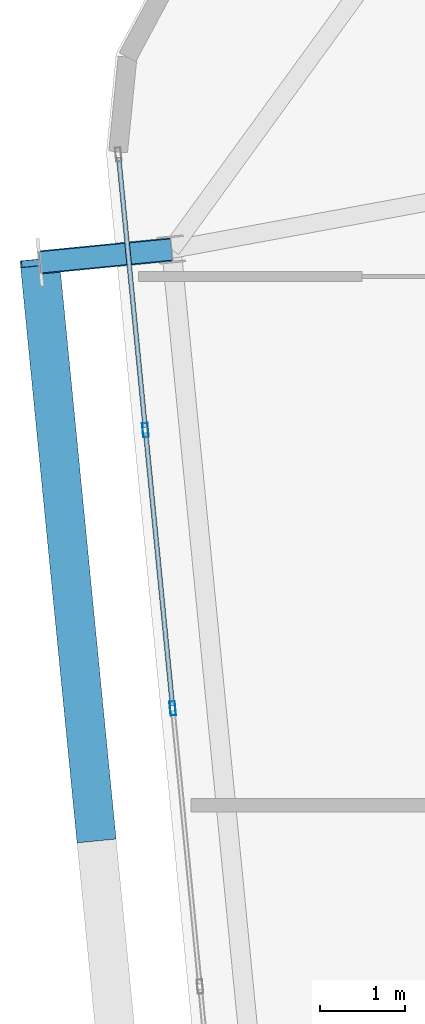
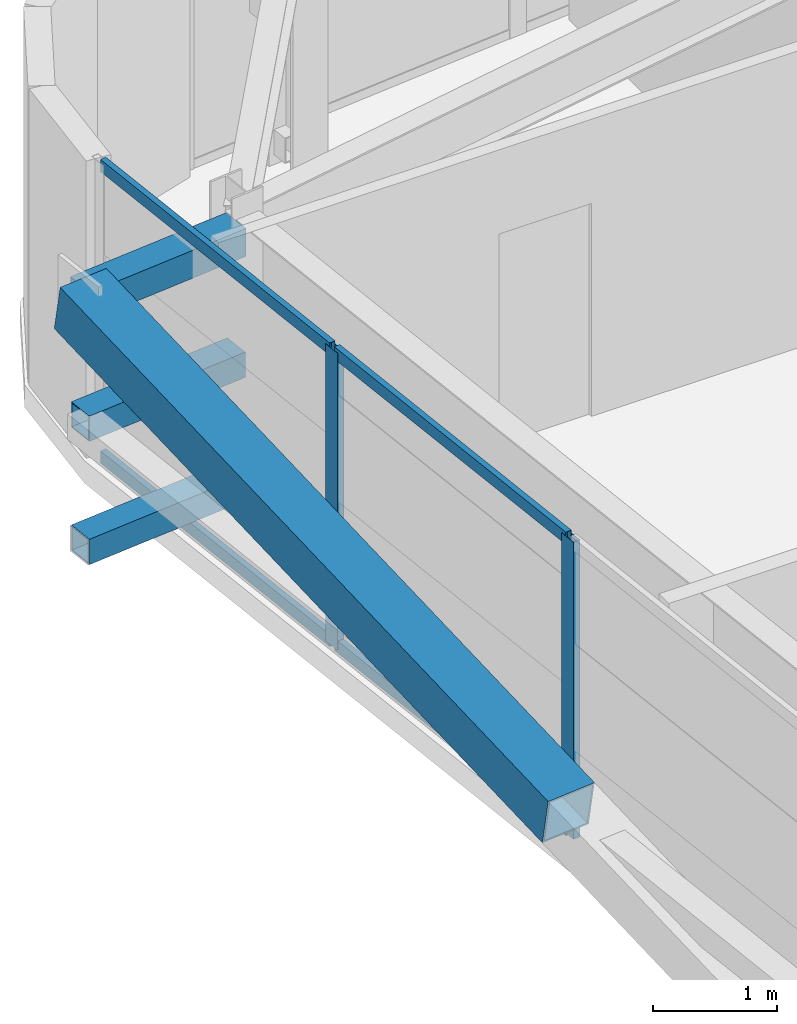
# One storey, part 15 of 53: 10 members, 1 element without a shape of its own.
"""IFC4 building model written with IfcOpenShell, lengths in metres."""

from ifc_helpers import new_model, si_unit, direction, frame, origin, origin_2d, place, context, subcontext, project, spatial, hollow_rectangle, extrude, source, transform, mapped, material, layer, layer_set, material_profile, profile_set, type_object, element, aggregate, save


model = new_model("IFC4")

# Units and contexts
model_context = context("Model", 3, precision=1e-05, world=origin(), true_north=direction((0.0, 1.0)))
body_context = subcontext(model_context, "Body", "Model", "MODEL_VIEW")
ifc_project = project(units=[si_unit("LENGTHUNIT", "METRE"), si_unit("AREAUNIT", "SQUARE_METRE"), si_unit("VOLUMEUNIT", "CUBIC_METRE"), si_unit("PLANEANGLEUNIT", "RADIAN"), si_unit("MASSUNIT", "GRAM", prefix="KILO")], contexts=[model_context])

# Site, building, storey
site_placement = place(None, origin())
site = spatial("IfcSite", under=ifc_project, at=site_placement, CompositionType="ELEMENT")
building_placement = place(site_placement, origin())
building = spatial("IfcBuilding", under=site, at=building_placement, Name="Taldren Reach Tower", CompositionType="ELEMENT")
storey_placement = place(building_placement, frame((0.0, 0.0, 84.0)))
storey = spatial("IfcBuildingStorey", under=building, at=storey_placement, Name="L25", CompositionType="ELEMENT", Elevation=84.0)

# Members
ifc_material_1 = material(Name="Steel Gr 450 (C450L0)", Category="steel")
ifc_material_profile_1 = material_profile(ifc_material_1, hollow_rectangle(XDim=0.27490234375, YDim=0.27490234375, WallThickness=0.00927734375, at=origin_2d()), Name="275x275x9.3SHS")
ifc_profile_set_1 = profile_set([ifc_material_profile_1], Name="Steel Gr 450 (C450L0)")
member_type_1 = type_object("IfcMemberType", Name="MB-TIE273", PredefinedType="STRUT", material=ifc_profile_set_1)
shared_shape_1 = source(origin(), body_context, "Body", "SweptSolid", [
    extrude(hollow_rectangle(XDim=0.27490234375, YDim=0.27490234375, WallThickness=0.00927734375, at=origin_2d()), origin(), (0.0, 0.0, 1.0), 1.550048828125),
])
member_1_placement = place(storey_placement, frame((8.808349609375, 30.116455078125, 2.64990234375), z_axis=(-0.9952210252, -0.097647892962, 0.0), x_axis=(0.097647892962, -0.9952210252, 0.0)))
element("IfcMember", 1, at=member_1_placement, inside=storey, type_object=member_type_1, Name="Exoskeleton diaphragm tie strut B2-W3 L25", PredefinedType="STRUT", context=body_context, shape_type="MappedRepresentation", body=[
    mapped(shared_shape_1, transform((0.0, 0.0, 0.0), scale=1.0)),
])
ifc_material_2 = material(Name="Steel Gr 350 (C350L0)", Category="steel")
ifc_material_profile_2 = material_profile(ifc_material_2, hollow_rectangle(XDim=0.25, YDim=0.25, WallThickness=0.010009765625, at=origin_2d()), Name="250x250x10.0SHS")
ifc_profile_set_2 = profile_set([ifc_material_profile_2], Name="Steel Gr 350 (C350L0)")
member_type_2 = type_object("IfcMemberType", Name="MB-POST250", PredefinedType="POST", material=ifc_profile_set_2)
shared_shape_2 = source(origin(), body_context, "Body", "SweptSolid", [
    extrude(hollow_rectangle(XDim=0.25, YDim=0.25, WallThickness=0.010009765625, at=origin_2d()), origin(), (0.0, 0.0, 1.0), 1.550048828125),
])
for number, where, z_axis, x_axis, name in (
    (2, (8.808349609375, 30.116455078125, 0.219970703125), (-0.9952210252, -0.097647892962, 0.0), (0.097647892962, -0.9952210252, 0.0), "Exoskeleton base diaphragm tie strut B2-W3 L25"),
    (3, (8.808349609375, 30.116455078125, 1.43505859375), (-0.9952210252, -0.097647892962, 0.0), (0.097647892962, -0.9952210252, 0.0), "Exoskeleton mid-tier diaphragm tie B2-W3 L25"),
):
    element("IfcMember", number, at=place(storey_placement, frame(where, z_axis=z_axis, x_axis=x_axis)), inside=storey, type_object=member_type_2, Name=name, PredefinedType="POST", context=body_context, shape_type="MappedRepresentation", body=[
        mapped(shared_shape_2, transform((0.0, 0.0, 0.0), scale=1.0)),
    ])
ifc_material_profile_3 = material_profile(ifc_material_1, hollow_rectangle(XDim=0.4599609375, YDim=0.4599609375, WallThickness=0.01611328125, at=origin_2d()), Name="460x460x16.0SHS")
ifc_profile_set_3 = profile_set([ifc_material_profile_3], Name="Steel Gr 450 (C450L0)")
member_type_3 = type_object("IfcMemberType", Name="MB-EXO457", PredefinedType="BRACE", material=ifc_profile_set_3)
shared_shape_3 = source(origin(), body_context, "Body", "SweptSolid", [
    extrude(hollow_rectangle(XDim=0.4599609375, YDim=0.4599609375, WallThickness=0.01611328125, at=origin_2d()), origin(), (0.0, 0.0, 1.0), 6.883056640625),
])
member_2_placement = place(storey_placement, frame((7.9267578125, 23.222412109375, 1.43505859375), z_axis=(-0.096052059581, 0.979603316657, 0.176497432967), x_axis=(-0.995227290009, -0.097584021339, 0.0)))
element("IfcMember", 4, at=member_2_placement, inside=storey, type_object=member_type_3, Name="Exoskeleton Diagrid Brace B2-W2 L25", PredefinedType="BRACE", context=body_context, shape_type="MappedRepresentation", body=[
    mapped(shared_shape_3, transform((0.0, 0.0, 0.0), scale=1.0)),
])

# Curtain wall, members
ifc_material_3 = material(Name="Aluminium and Low-E Glass Unitised System", Category="aluminium")
ifc_layer = layer(ifc_material_3, 0.159912109375)
ifc_layer_set = layer_set([ifc_layer], Name="Aluminium and Low-E Glass Unitised System")
curtain_wall_type = type_object("IfcCurtainWallType", Name="CW-SYS-3", PredefinedType="NOTDEFINED", material=ifc_layer_set)
curtain_wall_placement = place(storey_placement, origin())
curtain_wall = element("IfcCurtainWall", 5, at=curtain_wall_placement, inside=storey, type_object=curtain_wall_type, Name="Unitised curtain wall CW-L25-W", PredefinedType="NOTDEFINED")
ifc_material_4 = material(Name="Anodised Aluminium 6063-T6", Category="aluminium")
ifc_material_profile_4 = material_profile(ifc_material_4, hollow_rectangle(XDim=0.06494140625, YDim=0.1650390625, WallThickness=0.00390625, at=origin_2d()), Name="ALU-165x65x4RHS")
ifc_profile_set_4 = profile_set([ifc_material_profile_4], Name="Anodised Aluminium 6063-T6")
member_type_4 = type_object("IfcMemberType", Name="CW-MUL-165", PredefinedType="MULLION", material=ifc_profile_set_4)
shared_shape_4 = source(origin(), body_context, "Body", "SweptSolid", [
    extrude(hollow_rectangle(XDim=0.06494140625, YDim=0.1650390625, WallThickness=0.00390625, at=origin_2d()), origin(), (0.0, 0.0, 1.0), 2.929931640625),
])
member_3_placement = place(storey_placement, frame((8.50341796875, 27.998779296875, 0.0), z_axis=(0.0, 0.0, 1.0), x_axis=(0.99522741555, 0.09758274098, 0.0)))
member_3 = element("IfcMember", 6, at=member_3_placement, type_object=member_type_4, Name="CW-3 mullion 2", PredefinedType="MULLION", context=body_context, shape_type="MappedRepresentation", body=[
    mapped(shared_shape_4, transform((0.0, 0.0, 0.0), scale=1.0)),
])
member_4_placement = place(storey_placement, frame((8.8232421875, 24.736572265625, 0.0), z_axis=(0.0, 0.0, 1.0), x_axis=(0.99522741555, 0.09758274098, 0.0)))
member_4 = element("IfcMember", 7, at=member_4_placement, type_object=member_type_4, Name="CW-3 mullion 3", PredefinedType="MULLION", context=body_context, shape_type="MappedRepresentation", body=[
    mapped(shared_shape_4, transform((0.0, 0.0, 0.0), scale=1.0)),
])
ifc_material_profile_5 = material_profile(ifc_material_4, hollow_rectangle(XDim=0.054931640625, YDim=0.1201171875, WallThickness=0.0029296875, at=origin_2d()), Name="ALU-120x55x3RHS")
ifc_profile_set_5 = profile_set([ifc_material_profile_5], Name="Anodised Aluminium 6063-T6")
member_type_5 = type_object("IfcMemberType", Name="CW-TRN-135", PredefinedType="USERDEFINED", material=ifc_profile_set_5)
shared_shape_5 = source(origin(), body_context, "Body", "SweptSolid", [
    extrude(hollow_rectangle(XDim=0.054931640625, YDim=0.1201171875, WallThickness=0.0029296875, at=origin_2d()), origin(), (0.0, 0.0, 1.0), 3.18017578125),
])
member_5_placement = place(storey_placement, frame((8.18994140625, 31.1962890625, 0.027587890625), z_axis=(0.097572914968, -0.995228378949, 0.0), x_axis=(0.995228378949, 0.097572914968, 0.0)))
member_5 = element("IfcMember", 8, at=member_5_placement, type_object=member_type_5, Name="CW-3 transom 1.1", ObjectType="TRANSOM", PredefinedType="USERDEFINED", context=body_context, shape_type="MappedRepresentation", body=[
    mapped(shared_shape_5, transform((0.0, 0.0, 0.0), scale=1.0)),
])
member_6_placement = place(storey_placement, frame((8.18994140625, 31.1962890625, 2.902587890625), z_axis=(0.097572914968, -0.995228378949, 0.0), x_axis=(0.995228378949, 0.097572914968, 0.0)))
member_6 = element("IfcMember", 9, at=member_6_placement, type_object=member_type_5, Name="CW-3 transom 1.2", ObjectType="TRANSOM", PredefinedType="USERDEFINED", context=body_context, shape_type="MappedRepresentation", body=[
    mapped(shared_shape_5, transform((0.0, 0.0, 0.0), scale=1.0)),
])
shared_shape_6 = source(origin(), body_context, "Body", "SweptSolid", [
    extrude(hollow_rectangle(XDim=0.054931640625, YDim=0.1201171875, WallThickness=0.0029296875, at=origin_2d()), origin(), (0.0, 0.0, 1.0), 3.212890625),
])
member_7_placement = place(storey_placement, frame((8.506591796875, 27.966552734375, 0.027587890625), z_axis=(0.097569948235, -0.995228669805, 0.0), x_axis=(0.995228669805, 0.097569948235, 0.0)))
member_7 = element("IfcMember", 10, at=member_7_placement, type_object=member_type_5, Name="CW-3 transom 2.1", ObjectType="TRANSOM", PredefinedType="USERDEFINED", context=body_context, shape_type="MappedRepresentation", body=[
    mapped(shared_shape_6, transform((0.0, 0.0, 0.0), scale=1.0)),
])
member_8_placement = place(storey_placement, frame((8.506591796875, 27.966552734375, 2.902587890625), z_axis=(0.097569948235, -0.995228669805, 0.0), x_axis=(0.995228669805, 0.097569948235, 0.0)))
member_8 = element("IfcMember", 11, at=member_8_placement, type_object=member_type_5, Name="CW-3 transom 2.2", ObjectType="TRANSOM", PredefinedType="USERDEFINED", context=body_context, shape_type="MappedRepresentation", body=[
    mapped(shared_shape_6, transform((0.0, 0.0, 0.0), scale=1.0)),
])
aggregate(curtain_wall, [member_3, member_4, member_5, member_6, member_7, member_8])

save(model, "model.ifc")
